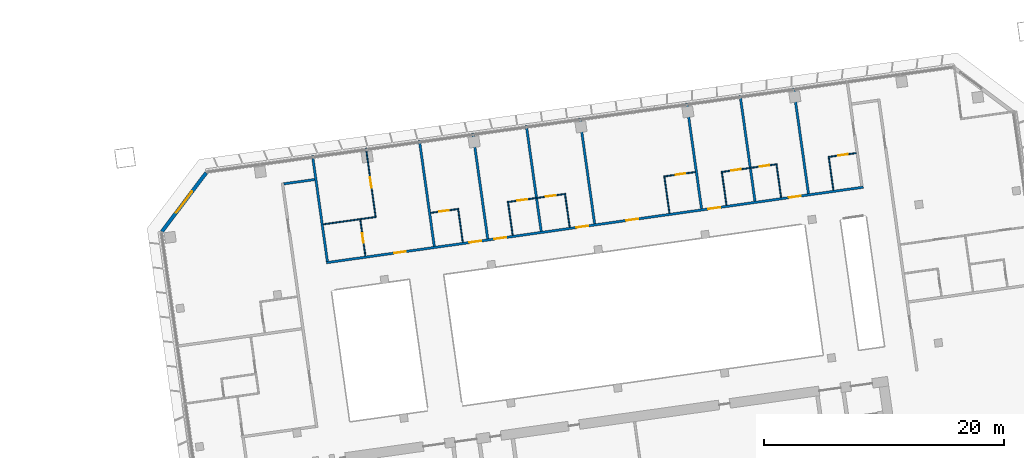
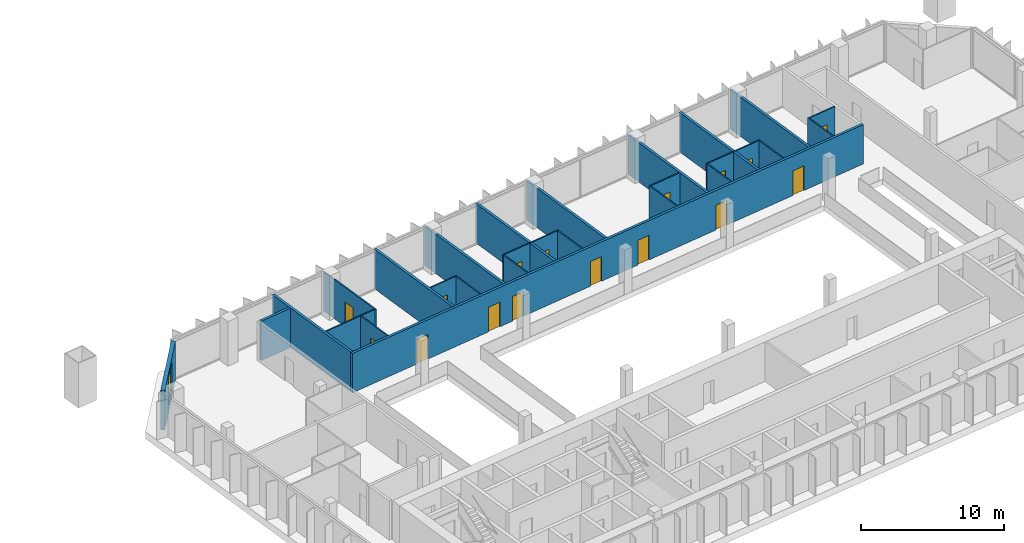
# One storey, part 20 of 25: 26 walls, 16 doors, 1 window, 17 openings.
"""IFC4 building model written with IfcOpenShell, lengths in metres."""

from ifc_helpers import new_model, si_unit, direction, frame, frame_2d, origin, place, context, subcontext, project, spatial, rectangle, extrude, material, layer, layer_set, type_object, element, fill, save


model = new_model("IFC4")

# Units and contexts
model_context = context("Model", 3, precision=1e-05, world=origin(), true_north=direction((0.0, 1.0)))
body_context = subcontext(model_context, "Body", "Model", "MODEL_VIEW")
ifc_project = project(units=[si_unit("LENGTHUNIT", "METRE"), si_unit("AREAUNIT", "SQUARE_METRE"), si_unit("VOLUMEUNIT", "CUBIC_METRE"), si_unit("PLANEANGLEUNIT", "RADIAN"), si_unit("MASSUNIT", "GRAM", prefix="KILO")], contexts=[model_context])

# Site, building, storey
site_placement = place(None, origin())
site = spatial("IfcSite", under=ifc_project, at=site_placement, CompositionType="ELEMENT")
building_placement = place(site_placement, origin())
building = spatial("IfcBuilding", under=site, at=building_placement, Name="Mirante Cascada Hotel Towers", CompositionType="ELEMENT")
storey_placement = place(building_placement, frame((0.0, 0.0, 136.7)))
storey = spatial("IfcBuildingStorey", under=building, at=storey_placement, Name="L31", CompositionType="ELEMENT", Elevation=136.7)

# Wall, openings, doors
ifc_material_1 = material(Name="Fire-rated plasterboard on metal studs")
ifc_layer_1 = layer(ifc_material_1, 0.2)
ifc_layer_set_1 = layer_set([ifc_layer_1], Name="Compartment wall 200 EI 120")
wall_type_1 = type_object("IfcWallType", Name="Compartment wall 200 EI 120", PredefinedType="PARTITIONING", material=ifc_layer_set_1)
wall_1_placement = place(storey_placement, frame((41.8779, 9.7676, 0.0), z_axis=(0.0, 0.0, 1.0), x_axis=(0.9902681, 0.1391726, 0.0)))
wall_1 = element("IfcWall", 1, at=wall_1_placement, inside=storey, type_object=wall_type_1, Name="Wall 2-L31-12", PredefinedType="PARTITIONING", context=body_context, shape_type="SweptSolid", body=[
    extrude(rectangle(XDim=45.2, YDim=0.2, at=frame_2d((22.6, 0.0))), origin(), (0.0, 0.0, 1.0), 3.35),
])
opening_1_placement = place(wall_1_placement, frame((5.7, 0.0, 0.0)))
opening_1 = element("IfcOpeningElement", 2, at=opening_1_placement, cuts=wall_1, Name="Opening D2-L31-04", PredefinedType="OPENING", context=body_context, shape_type="SweptSolid", body=[
    extrude(rectangle(XDim=1.0, YDim=2.1, at=frame_2d((0.5, 1.05))), frame((0.0, 0.1, 0.0), z_axis=(0.0, -1.0, 0.0), x_axis=(1.0, 0.0, 0.0)), (0.0, 0.0, 1.0), 0.2),
])
opening_2_placement = place(wall_1_placement, frame((12.05, 0.0, 0.0)))
opening_2 = element("IfcOpeningElement", 3, at=opening_2_placement, cuts=wall_1, Name="Opening D2-L31-05", PredefinedType="OPENING", context=body_context, shape_type="SweptSolid", body=[
    extrude(rectangle(XDim=1.0, YDim=2.1, at=frame_2d((0.5, 1.05))), frame((0.0, 0.1, 0.0), z_axis=(0.0, -1.0, 0.0), x_axis=(1.0, 0.0, 0.0)), (0.0, 0.0, 1.0), 0.2),
])
opening_3_placement = place(wall_1_placement, frame((14.15, 0.0, 0.0)))
opening_3 = element("IfcOpeningElement", 4, at=opening_3_placement, cuts=wall_1, Name="Opening D2-L31-06", PredefinedType="OPENING", context=body_context, shape_type="SweptSolid", body=[
    extrude(rectangle(XDim=1.0, YDim=2.1, at=frame_2d((0.5, 1.05))), frame((0.0, 0.1, 0.0), z_axis=(0.0, -1.0, 0.0), x_axis=(1.0, 0.0, 0.0)), (0.0, 0.0, 1.0), 0.2),
])
opening_4_placement = place(wall_1_placement, frame((21.05, 0.0, 0.0)))
opening_4 = element("IfcOpeningElement", 5, at=opening_4_placement, cuts=wall_1, Name="Opening D2-L31-07", PredefinedType="OPENING", context=body_context, shape_type="SweptSolid", body=[
    extrude(rectangle(XDim=1.0, YDim=2.1, at=frame_2d((0.5, 1.05))), frame((0.0, 0.1, 0.0), z_axis=(0.0, -1.0, 0.0), x_axis=(1.0, 0.0, 0.0)), (0.0, 0.0, 1.0), 0.2),
])
opening_5_placement = place(wall_1_placement, frame((25.25, 0.0, 0.0)))
opening_5 = element("IfcOpeningElement", 6, at=opening_5_placement, cuts=wall_1, Name="Opening D2-L31-08", PredefinedType="OPENING", context=body_context, shape_type="SweptSolid", body=[
    extrude(rectangle(XDim=1.0, YDim=2.1, at=frame_2d((0.5, 1.05))), frame((0.0, 0.1, 0.0), z_axis=(0.0, -1.0, 0.0), x_axis=(1.0, 0.0, 0.0)), (0.0, 0.0, 1.0), 0.2),
])
opening_6_placement = place(wall_1_placement, frame((32.15, 0.0, 0.0)))
opening_6 = element("IfcOpeningElement", 7, at=opening_6_placement, cuts=wall_1, Name="Opening D2-L31-09", PredefinedType="OPENING", context=body_context, shape_type="SweptSolid", body=[
    extrude(rectangle(XDim=1.0, YDim=2.1, at=frame_2d((0.5, 1.05))), frame((0.0, 0.1, 0.0), z_axis=(0.0, -1.0, 0.0), x_axis=(1.0, 0.0, 0.0)), (0.0, 0.0, 1.0), 0.2),
])
opening_7_placement = place(wall_1_placement, frame((38.95, 0.0, 0.0)))
opening_7 = element("IfcOpeningElement", 8, at=opening_7_placement, cuts=wall_1, Name="Opening D2-L31-10", PredefinedType="OPENING", context=body_context, shape_type="SweptSolid", body=[
    extrude(rectangle(XDim=1.0, YDim=2.1, at=frame_2d((0.5, 1.05))), frame((0.0, 0.1, 0.0), z_axis=(0.0, -1.0, 0.0), x_axis=(1.0, 0.0, 0.0)), (0.0, 0.0, 1.0), 0.2),
])
ifc_material_2 = material(Name="Fire-rated timber door leaf", Category="wood")
door_type_1 = type_object("IfcDoorType", Name="Entrance door DG1 1000x2100 EI 60", OperationType="SINGLE_SWING_LEFT", PredefinedType="DOOR", material=ifc_material_2)
door_1_placement = place(opening_1_placement, origin())
door_1 = element("IfcDoor", 9, at=door_1_placement, inside=storey, type_object=door_type_1, Name="Door D2-L31-04", OperationType="SINGLE_SWING_LEFT", OverallHeight=2.1, OverallWidth=1.0, PredefinedType="DOOR", context=body_context, shape_type="SweptSolid", body=[
    extrude(rectangle(XDim=1.0, YDim=2.1, at=frame_2d((0.5, 1.05))), frame((0.0, 0.025, 0.0), z_axis=(0.0, -1.0, 0.0), x_axis=(1.0, 0.0, 0.0)), (0.0, 0.0, 1.0), 0.05),
])
fill(opening_1, door_1)
door_2_placement = place(opening_2_placement, origin())
door_2 = element("IfcDoor", 10, at=door_2_placement, inside=storey, type_object=door_type_1, Name="Door D2-L31-05", OperationType="SINGLE_SWING_LEFT", OverallHeight=2.1, OverallWidth=1.0, PredefinedType="DOOR", context=body_context, shape_type="SweptSolid", body=[
    extrude(rectangle(XDim=1.0, YDim=2.1, at=frame_2d((0.5, 1.05))), frame((0.0, 0.025, 0.0), z_axis=(0.0, -1.0, 0.0), x_axis=(1.0, 0.0, 0.0)), (0.0, 0.0, 1.0), 0.05),
])
fill(opening_2, door_2)
door_3_placement = place(opening_3_placement, origin())
door_3 = element("IfcDoor", 11, at=door_3_placement, inside=storey, type_object=door_type_1, Name="Door D2-L31-06", OperationType="SINGLE_SWING_LEFT", OverallHeight=2.1, OverallWidth=1.0, PredefinedType="DOOR", context=body_context, shape_type="SweptSolid", body=[
    extrude(rectangle(XDim=1.0, YDim=2.1, at=frame_2d((0.5, 1.05))), frame((0.0, 0.025, 0.0), z_axis=(0.0, -1.0, 0.0), x_axis=(1.0, 0.0, 0.0)), (0.0, 0.0, 1.0), 0.05),
])
fill(opening_3, door_3)
door_4_placement = place(opening_4_placement, origin())
door_4 = element("IfcDoor", 12, at=door_4_placement, inside=storey, type_object=door_type_1, Name="Door D2-L31-07", OperationType="SINGLE_SWING_LEFT", OverallHeight=2.1, OverallWidth=1.0, PredefinedType="DOOR", context=body_context, shape_type="SweptSolid", body=[
    extrude(rectangle(XDim=1.0, YDim=2.1, at=frame_2d((0.5, 1.05))), frame((0.0, 0.025, 0.0), z_axis=(0.0, -1.0, 0.0), x_axis=(1.0, 0.0, 0.0)), (0.0, 0.0, 1.0), 0.05),
])
fill(opening_4, door_4)
door_5_placement = place(opening_5_placement, origin())
door_5 = element("IfcDoor", 13, at=door_5_placement, inside=storey, type_object=door_type_1, Name="Door D2-L31-08", OperationType="SINGLE_SWING_LEFT", OverallHeight=2.1, OverallWidth=1.0, PredefinedType="DOOR", context=body_context, shape_type="SweptSolid", body=[
    extrude(rectangle(XDim=1.0, YDim=2.1, at=frame_2d((0.5, 1.05))), frame((0.0, 0.025, 0.0), z_axis=(0.0, -1.0, 0.0), x_axis=(1.0, 0.0, 0.0)), (0.0, 0.0, 1.0), 0.05),
])
fill(opening_5, door_5)
door_6_placement = place(opening_6_placement, origin())
door_6 = element("IfcDoor", 14, at=door_6_placement, inside=storey, type_object=door_type_1, Name="Door D2-L31-09", OperationType="SINGLE_SWING_LEFT", OverallHeight=2.1, OverallWidth=1.0, PredefinedType="DOOR", context=body_context, shape_type="SweptSolid", body=[
    extrude(rectangle(XDim=1.0, YDim=2.1, at=frame_2d((0.5, 1.05))), frame((0.0, 0.025, 0.0), z_axis=(0.0, -1.0, 0.0), x_axis=(1.0, 0.0, 0.0)), (0.0, 0.0, 1.0), 0.05),
])
fill(opening_6, door_6)
door_7_placement = place(opening_7_placement, origin())
door_7 = element("IfcDoor", 15, at=door_7_placement, inside=storey, type_object=door_type_1, Name="Door D2-L31-10", OperationType="SINGLE_SWING_LEFT", OverallHeight=2.1, OverallWidth=1.0, PredefinedType="DOOR", context=body_context, shape_type="SweptSolid", body=[
    extrude(rectangle(XDim=1.0, YDim=2.1, at=frame_2d((0.5, 1.05))), frame((0.0, 0.025, 0.0), z_axis=(0.0, -1.0, 0.0), x_axis=(1.0, 0.0, 0.0)), (0.0, 0.0, 1.0), 0.05),
])
fill(opening_7, door_7)

# Walls
wall_2_placement = place(storey_placement, frame((38.329, 16.3376, 0.0), z_axis=(0.0, 0.0, 1.0), x_axis=(0.9902647, 0.1391971, 0.0)))
element("IfcWall", 16, at=wall_2_placement, inside=storey, type_object=wall_type_1, Name="Wall 2-L31-20", PredefinedType="PARTITIONING", context=body_context, shape_type="SweptSolid", body=[
    extrude(rectangle(XDim=2.5999, YDim=0.2, at=frame_2d((1.3, 0.0))), origin(), (0.0, 0.0, 1.0), 3.35),
])
for number, where, z_axis, x_axis, name in (
    (17, (41.963, 9.8805, 0.0), (0.0, 0.0, 1.0), (-0.1391794, 0.9902672, 0.0), "Wall 2-L31-28"),
    (18, (49.6367, 19.9465, 0.0), (0.0, 0.0, 1.0), (0.1391794, -0.9902672, 0.0), "Wall 2-L31-31"),
    (19, (54.0929, 20.5728, 0.0), (0.0, 0.0, 1.0), (0.1391794, -0.9902672, 0.0), "Wall 2-L31-33"),
):
    element("IfcWall", number, at=place(storey_placement, frame(where, z_axis=z_axis, x_axis=x_axis)), inside=storey, type_object=wall_type_1, Name=name, PredefinedType="PARTITIONING", context=body_context, shape_type="SweptSolid", body=[
        extrude(rectangle(XDim=8.9, YDim=0.2, at=frame_2d((4.45, 0.0))), origin(), (0.0, 0.0, 1.0), 3.35),
    ])
wall_3_placement = place(storey_placement, frame((58.5492, 21.199, 0.0), z_axis=(0.0, 0.0, 1.0), x_axis=(0.13917, -0.9902685, 0.0)))
element("IfcWall", 20, at=wall_3_placement, inside=storey, type_object=wall_type_1, Name="Wall 2-L31-35", PredefinedType="PARTITIONING", context=body_context, shape_type="SweptSolid", body=[
    extrude(rectangle(XDim=8.8999, YDim=0.2, at=frame_2d((4.45, 0.0))), origin(), (0.0, 0.0, 1.0), 3.35),
])
for number, where, z_axis, x_axis, name in (
    (21, (63.0054, 21.8253, 0.0), (0.0, 0.0, 1.0), (0.1391684, -0.9902687, 0.0), "Wall 2-L31-37"),
    (22, (71.9178, 23.0779, 0.0), (0.0, 0.0, 1.0), (0.1391684, -0.9902687, 0.0), "Wall 2-L31-39"),
    (23, (76.374, 23.7042, 0.0), (0.0, 0.0, 1.0), (0.1391684, -0.9902687, 0.0), "Wall 2-L31-41"),
):
    element("IfcWall", number, at=place(storey_placement, frame(where, z_axis=z_axis, x_axis=x_axis)), inside=storey, type_object=wall_type_1, Name=name, PredefinedType="PARTITIONING", context=body_context, shape_type="SweptSolid", body=[
        extrude(rectangle(XDim=8.9, YDim=0.2, at=frame_2d((4.45, 0.0))), origin(), (0.0, 0.0, 1.0), 3.35),
    ])
wall_4_placement = place(storey_placement, frame((80.8302, 24.3304, 0.0), z_axis=(0.0, 0.0, 1.0), x_axis=(0.13917, -0.9902685, 0.0)))
element("IfcWall", 24, at=wall_4_placement, inside=storey, type_object=wall_type_1, Name="Wall 2-L31-43", PredefinedType="PARTITIONING", context=body_context, shape_type="SweptSolid", body=[
    extrude(rectangle(XDim=8.8999, YDim=0.2, at=frame_2d((4.45, 0.0))), origin(), (0.0, 0.0, 1.0), 3.35),
])

# Wall, opening, door
ifc_material_3 = material(Name="Plasterboard on metal studs")
ifc_layer_2 = layer(ifc_material_3, 0.1)
ifc_layer_set_2 = layer_set([ifc_layer_2], Name="Partition 100")
wall_type_2 = type_object("IfcWallType", Name="Partition 100", PredefinedType="PARTITIONING", material=ifc_layer_set_2)
wall_5_placement = place(storey_placement, frame((52.8128, 14.2329, 0.0), z_axis=(0.0, 0.0, 1.0), x_axis=(-0.9902705, -0.1391561, 0.0)))
wall_5 = element("IfcWall", 25, at=wall_5_placement, inside=storey, type_object=wall_type_2, Name="Wall 2-L31-13", PredefinedType="PARTITIONING", context=body_context, shape_type="SweptSolid", body=[
    extrude(rectangle(XDim=2.25, YDim=0.1, at=frame_2d((1.125, 0.0))), origin(), (0.0, 0.0, 1.0), 3.35),
])
opening_8_placement = place(wall_5_placement, frame((0.75, 0.0, 0.0)))
opening_8 = element("IfcOpeningElement", 26, at=opening_8_placement, cuts=wall_5, Name="Opening D2-L31-11", PredefinedType="OPENING", context=body_context, shape_type="SweptSolid", body=[
    extrude(rectangle(XDim=0.8, YDim=2.1, at=frame_2d((0.4, 1.05))), frame((0.0, 0.05, 0.0), z_axis=(0.0, -1.0, 0.0), x_axis=(1.0, 0.0, 0.0)), (0.0, 0.0, 1.0), 0.1),
])
ifc_material_4 = material(Name="Timber door leaf", Category="wood")
door_type_2 = type_object("IfcDoorType", Name="Bathroom door DG4 800x2100", OperationType="SINGLE_SWING_LEFT", PredefinedType="DOOR", material=ifc_material_4)
door_8_placement = place(opening_8_placement, frame((0.8, 0.0, 0.0), z_axis=(0.0, 0.0, 1.0), x_axis=(-1.0, 0.0, 0.0)))
door_8 = element("IfcDoor", 27, at=door_8_placement, inside=storey, type_object=door_type_2, Name="Door D2-L31-11", OperationType="SINGLE_SWING_RIGHT", OverallHeight=2.1, OverallWidth=0.8, PredefinedType="DOOR", context=body_context, shape_type="SweptSolid", body=[
    extrude(rectangle(XDim=0.8, YDim=2.1, at=frame_2d((0.4, 1.05))), frame((0.0, 0.025, 0.0), z_axis=(0.0, -1.0, 0.0), x_axis=(1.0, 0.0, 0.0)), (0.0, 0.0, 1.0), 0.05),
])
fill(opening_8, door_8)

# Wall, openings, doors
wall_6_placement = place(storey_placement, frame((56.972, 14.8174, 0.0), z_axis=(0.0, 0.0, 1.0), x_axis=(0.9902666, 0.1391838, 0.0)))
wall_6 = element("IfcWall", 28, at=wall_6_placement, inside=storey, type_object=wall_type_2, Name="Wall 2-L31-14", PredefinedType="PARTITIONING", context=body_context, shape_type="SweptSolid", body=[
    extrude(rectangle(XDim=4.9, YDim=0.1, at=frame_2d((2.45, 0.0))), origin(), (0.0, 0.0, 1.0), 3.35),
])
opening_9_placement = place(wall_6_placement, frame((0.85, 0.0, 0.0)))
opening_9 = element("IfcOpeningElement", 29, at=opening_9_placement, cuts=wall_6, Name="Opening D2-L31-12", PredefinedType="OPENING", context=body_context, shape_type="SweptSolid", body=[
    extrude(rectangle(XDim=0.8, YDim=2.1, at=frame_2d((0.4, 1.05))), frame((0.0, 0.05, 0.0), z_axis=(0.0, -1.0, 0.0), x_axis=(1.0, 0.0, 0.0)), (0.0, 0.0, 1.0), 0.1),
])
opening_10_placement = place(wall_6_placement, frame((3.25, 0.0, 0.0)))
opening_10 = element("IfcOpeningElement", 30, at=opening_10_placement, cuts=wall_6, Name="Opening D2-L31-13", PredefinedType="OPENING", context=body_context, shape_type="SweptSolid", body=[
    extrude(rectangle(XDim=0.8, YDim=2.1, at=frame_2d((0.4, 1.05))), frame((0.0, 0.05, 0.0), z_axis=(0.0, -1.0, 0.0), x_axis=(1.0, 0.0, 0.0)), (0.0, 0.0, 1.0), 0.1),
])
door_9_placement = place(opening_9_placement, origin())
door_9 = element("IfcDoor", 31, at=door_9_placement, inside=storey, type_object=door_type_2, Name="Door D2-L31-12", OperationType="SINGLE_SWING_LEFT", OverallHeight=2.1, OverallWidth=0.8, PredefinedType="DOOR", context=body_context, shape_type="SweptSolid", body=[
    extrude(rectangle(XDim=0.8, YDim=2.1, at=frame_2d((0.4, 1.05))), frame((0.0, 0.025, 0.0), z_axis=(0.0, -1.0, 0.0), x_axis=(1.0, 0.0, 0.0)), (0.0, 0.0, 1.0), 0.05),
])
fill(opening_9, door_9)
door_10_placement = place(opening_10_placement, origin())
door_10 = element("IfcDoor", 32, at=door_10_placement, inside=storey, type_object=door_type_2, Name="Door D2-L31-13", OperationType="SINGLE_SWING_LEFT", OverallHeight=2.1, OverallWidth=0.8, PredefinedType="DOOR", context=body_context, shape_type="SweptSolid", body=[
    extrude(rectangle(XDim=0.8, YDim=2.1, at=frame_2d((0.4, 1.05))), frame((0.0, 0.025, 0.0), z_axis=(0.0, -1.0, 0.0), x_axis=(1.0, 0.0, 0.0)), (0.0, 0.0, 1.0), 0.05),
])
fill(opening_10, door_10)

wall_7_placement = place(storey_placement, frame((79.451, 17.9767, 0.0), z_axis=(0.0, 0.0, 1.0), x_axis=(-0.9902682, -0.139172, 0.0)))
wall_7 = element("IfcWall", 33, at=wall_7_placement, inside=storey, type_object=wall_type_2, Name="Wall 2-L31-15", PredefinedType="PARTITIONING", context=body_context, shape_type="SweptSolid", body=[
    extrude(rectangle(XDim=4.6999, YDim=0.1, at=frame_2d((2.35, 0.0))), origin(), (0.0, 0.0, 1.0), 3.35),
])
opening_11_placement = place(wall_7_placement, frame((3.05, 0.0, 0.0)))
opening_11 = element("IfcOpeningElement", 34, at=opening_11_placement, cuts=wall_7, Name="Opening D2-L31-14", PredefinedType="OPENING", context=body_context, shape_type="SweptSolid", body=[
    extrude(rectangle(XDim=0.8, YDim=2.1, at=frame_2d((0.4, 1.05))), frame((0.0, 0.05, 0.0), z_axis=(0.0, -1.0, 0.0), x_axis=(1.0, 0.0, 0.0)), (0.0, 0.0, 1.0), 0.1),
])
opening_12_placement = place(wall_7_placement, frame((0.65, 0.0, 0.0)))
opening_12 = element("IfcOpeningElement", 35, at=opening_12_placement, cuts=wall_7, Name="Opening D2-L31-15", PredefinedType="OPENING", context=body_context, shape_type="SweptSolid", body=[
    extrude(rectangle(XDim=0.8, YDim=2.1, at=frame_2d((0.4, 1.05))), frame((0.0, 0.05, 0.0), z_axis=(0.0, -1.0, 0.0), x_axis=(1.0, 0.0, 0.0)), (0.0, 0.0, 1.0), 0.1),
])
door_11_placement = place(opening_11_placement, frame((0.8, 0.0, 0.0), z_axis=(0.0, 0.0, 1.0), x_axis=(-1.0, 0.0, 0.0)))
door_11 = element("IfcDoor", 36, at=door_11_placement, inside=storey, type_object=door_type_2, Name="Door D2-L31-14", OperationType="SINGLE_SWING_RIGHT", OverallHeight=2.1, OverallWidth=0.8, PredefinedType="DOOR", context=body_context, shape_type="SweptSolid", body=[
    extrude(rectangle(XDim=0.8, YDim=2.1, at=frame_2d((0.4, 1.05))), frame((0.0, 0.025, 0.0), z_axis=(0.0, -1.0, 0.0), x_axis=(1.0, 0.0, 0.0)), (0.0, 0.0, 1.0), 0.05),
])
fill(opening_11, door_11)
door_12_placement = place(opening_12_placement, frame((0.8, 0.0, 0.0), z_axis=(0.0, 0.0, 1.0), x_axis=(-1.0, 0.0, 0.0)))
door_12 = element("IfcDoor", 37, at=door_12_placement, inside=storey, type_object=door_type_2, Name="Door D2-L31-15", OperationType="SINGLE_SWING_RIGHT", OverallHeight=2.1, OverallWidth=0.8, PredefinedType="DOOR", context=body_context, shape_type="SweptSolid", body=[
    extrude(rectangle(XDim=0.8, YDim=2.1, at=frame_2d((0.4, 1.05))), frame((0.0, 0.025, 0.0), z_axis=(0.0, -1.0, 0.0), x_axis=(1.0, 0.0, 0.0)), (0.0, 0.0, 1.0), 0.05),
])
fill(opening_12, door_12)

# Wall, opening, door
wall_8_placement = place(storey_placement, frame((83.8082, 18.589, 0.0), z_axis=(0.0, 0.0, 1.0), x_axis=(0.9902643, 0.1391997, 0.0)))
wall_8 = element("IfcWall", 38, at=wall_8_placement, inside=storey, type_object=wall_type_2, Name="Wall 2-L31-16", PredefinedType="PARTITIONING", context=body_context, shape_type="SweptSolid", body=[
    extrude(rectangle(XDim=2.25, YDim=0.1, at=frame_2d((1.125, 0.0))), origin(), (0.0, 0.0, 1.0), 3.35),
])
opening_13_placement = place(wall_8_placement, frame((0.75, 0.0, 0.0)))
opening_13 = element("IfcOpeningElement", 39, at=opening_13_placement, cuts=wall_8, Name="Opening D2-L31-16", PredefinedType="OPENING", context=body_context, shape_type="SweptSolid", body=[
    extrude(rectangle(XDim=0.8, YDim=2.1, at=frame_2d((0.4, 1.05))), frame((0.0, 0.05, 0.0), z_axis=(0.0, -1.0, 0.0), x_axis=(1.0, 0.0, 0.0)), (0.0, 0.0, 1.0), 0.1),
])
door_13_placement = place(opening_13_placement, origin())
door_13 = element("IfcDoor", 40, at=door_13_placement, inside=storey, type_object=door_type_2, Name="Door D2-L31-16", OperationType="SINGLE_SWING_LEFT", OverallHeight=2.1, OverallWidth=0.8, PredefinedType="DOOR", context=body_context, shape_type="SweptSolid", body=[
    extrude(rectangle(XDim=0.8, YDim=2.1, at=frame_2d((0.4, 1.05))), frame((0.0, 0.025, 0.0), z_axis=(0.0, -1.0, 0.0), x_axis=(1.0, 0.0, 0.0)), (0.0, 0.0, 1.0), 0.05),
])
fill(opening_13, door_13)

# Wall
wall_9_placement = place(storey_placement, frame((45.9382, 13.5697, 0.0), z_axis=(0.0, 0.0, 1.0), x_axis=(-0.9902679, -0.1391745, 0.0)))
element("IfcWall", 41, at=wall_9_placement, inside=storey, type_object=wall_type_2, Name="Wall 2-L31-17", PredefinedType="PARTITIONING", context=body_context, shape_type="SweptSolid", body=[
    extrude(rectangle(XDim=4.3499, YDim=0.1, at=frame_2d((2.175, 0.0))), origin(), (0.0, 0.0, 1.0), 3.35),
])

# Wall, opening, door
wall_10_placement = place(storey_placement, frame((70.1008, 16.9655, 0.0), z_axis=(0.0, 0.0, 1.0), x_axis=(0.9902677, 0.1391755, 0.0)))
wall_10 = element("IfcWall", 42, at=wall_10_placement, inside=storey, type_object=wall_type_2, Name="Wall 2-L31-18", PredefinedType="PARTITIONING", context=body_context, shape_type="SweptSolid", body=[
    extrude(rectangle(XDim=2.55, YDim=0.1, at=frame_2d((1.275, 0.0))), origin(), (0.0, 0.0, 1.0), 3.35),
])
opening_14_placement = place(wall_10_placement, frame((0.9, 0.0, 0.0)))
opening_14 = element("IfcOpeningElement", 43, at=opening_14_placement, cuts=wall_10, Name="Opening D2-L31-17", PredefinedType="OPENING", context=body_context, shape_type="SweptSolid", body=[
    extrude(rectangle(XDim=0.8, YDim=2.1, at=frame_2d((0.4, 1.05))), frame((0.0, 0.05, 0.0), z_axis=(0.0, -1.0, 0.0), x_axis=(1.0, 0.0, 0.0)), (0.0, 0.0, 1.0), 0.1),
])
door_14_placement = place(opening_14_placement, origin())
door_14 = element("IfcDoor", 44, at=door_14_placement, inside=storey, type_object=door_type_2, Name="Door D2-L31-17", OperationType="SINGLE_SWING_LEFT", OverallHeight=2.1, OverallWidth=0.8, PredefinedType="DOOR", context=body_context, shape_type="SweptSolid", body=[
    extrude(rectangle(XDim=0.8, YDim=2.1, at=frame_2d((0.4, 1.05))), frame((0.0, 0.025, 0.0), z_axis=(0.0, -1.0, 0.0), x_axis=(1.0, 0.0, 0.0)), (0.0, 0.0, 1.0), 0.05),
])
fill(opening_14, door_14)

wall_11_placement = place(storey_placement, frame((44.7074, 13.3462, 0.0), z_axis=(0.0, 0.0, 1.0), x_axis=(0.1391488, -0.9902715, 0.0)))
wall_11 = element("IfcWall", 45, at=wall_11_placement, inside=storey, type_object=wall_type_2, Name="Wall 2-L31-29", PredefinedType="PARTITIONING", context=body_context, shape_type="SweptSolid", body=[
    extrude(rectangle(XDim=3.05, YDim=0.1, at=frame_2d((1.525, 0.0))), origin(), (0.0, 0.0, 1.0), 3.35),
])
opening_15_placement = place(wall_11_placement, frame((1.15, 0.0, 0.0)))
opening_15 = element("IfcOpeningElement", 46, at=opening_15_placement, cuts=wall_11, Name="Opening D2-L31-24", PredefinedType="OPENING", context=body_context, shape_type="SweptSolid", body=[
    extrude(rectangle(XDim=0.8, YDim=2.1, at=frame_2d((0.4, 1.05))), frame((0.0, 0.05, 0.0), z_axis=(0.0, -1.0, 0.0), x_axis=(1.0, 0.0, 0.0)), (0.0, 0.0, 1.0), 0.1),
])
door_15_placement = place(opening_15_placement, origin())
door_15 = element("IfcDoor", 47, at=door_15_placement, inside=storey, type_object=door_type_2, Name="Door D2-L31-24", OperationType="SINGLE_SWING_LEFT", OverallHeight=2.1, OverallWidth=0.8, PredefinedType="DOOR", context=body_context, shape_type="SweptSolid", body=[
    extrude(rectangle(XDim=0.8, YDim=2.1, at=frame_2d((0.4, 1.05))), frame((0.0, 0.025, 0.0), z_axis=(0.0, -1.0, 0.0), x_axis=(1.0, 0.0, 0.0)), (0.0, 0.0, 1.0), 0.05),
])
fill(opening_15, door_15)

wall_12_placement = place(storey_placement, frame((45.9947, 13.5271, 0.0), z_axis=(0.0, 0.0, 1.0), x_axis=(-0.1391786, 0.9902673, 0.0)))
wall_12 = element("IfcWall", 48, at=wall_12_placement, inside=storey, type_object=wall_type_2, Name="Wall 2-L31-30", PredefinedType="PARTITIONING", context=body_context, shape_type="SweptSolid", body=[
    extrude(rectangle(XDim=5.85, YDim=0.1, at=frame_2d((2.925, 0.0))), origin(), (0.0, 0.0, 1.0), 3.35),
])
opening_16_placement = place(wall_12_placement, frame((2.5, 0.0, 0.0)))
opening_16 = element("IfcOpeningElement", 49, at=opening_16_placement, cuts=wall_12, Name="Opening D2-L31-25", PredefinedType="OPENING", context=body_context, shape_type="SweptSolid", body=[
    extrude(rectangle(XDim=0.9, YDim=2.1, at=frame_2d((0.45, 1.05))), frame((0.0, 0.05, 0.0), z_axis=(0.0, -1.0, 0.0), x_axis=(1.0, 0.0, 0.0)), (0.0, 0.0, 1.0), 0.1),
])
ifc_material_5 = material(Name="Timber door leaf", Category="wood")
door_type_3 = type_object("IfcDoorType", Name="Room door DG3 900x2100", OperationType="SINGLE_SWING_LEFT", PredefinedType="DOOR", material=ifc_material_5)
door_16_placement = place(opening_16_placement, frame((0.9, 0.0, 0.0), z_axis=(0.0, 0.0, 1.0), x_axis=(-1.0, 0.0, 0.0)))
door_16 = element("IfcDoor", 50, at=door_16_placement, inside=storey, type_object=door_type_3, Name="Door D2-L31-25", OperationType="SINGLE_SWING_RIGHT", OverallHeight=2.1, OverallWidth=0.9, PredefinedType="DOOR", context=body_context, shape_type="SweptSolid", body=[
    extrude(rectangle(XDim=0.9, YDim=2.1, at=frame_2d((0.45, 1.05))), frame((0.0, 0.025, 0.0), z_axis=(0.0, -1.0, 0.0), x_axis=(1.0, 0.0, 0.0)), (0.0, 0.0, 1.0), 0.05),
])
fill(opening_16, door_16)

# Walls
wall_13_placement = place(storey_placement, frame((53.252, 11.4671, 0.0), z_axis=(0.0, 0.0, 1.0), x_axis=(-0.1391564, 0.9902704, 0.0)))
element("IfcWall", 51, at=wall_13_placement, inside=storey, type_object=wall_type_2, Name="Wall 2-L31-32", PredefinedType="PARTITIONING", context=body_context, shape_type="SweptSolid", body=[
    extrude(rectangle(XDim=2.85, YDim=0.1, at=frame_2d((1.425, 0.0))), origin(), (0.0, 0.0, 1.0), 3.35),
])
wall_14_placement = place(storey_placement, frame((57.4112, 12.0516, 0.0), z_axis=(0.0, 0.0, 1.0), x_axis=(-0.1391963, 0.9902648, 0.0)))
element("IfcWall", 52, at=wall_14_placement, inside=storey, type_object=wall_type_2, Name="Wall 2-L31-34", PredefinedType="PARTITIONING", context=body_context, shape_type="SweptSolid", body=[
    extrude(rectangle(XDim=2.7501, YDim=0.1, at=frame_2d((1.3751, 0.0))), origin(), (0.0, 0.0, 1.0), 3.35),
])
wall_15_placement = place(storey_placement, frame((62.1644, 12.7197, 0.0), z_axis=(0.0, 0.0, 1.0), x_axis=(-0.1391657, 0.9902691, 0.0)))
element("IfcWall", 53, at=wall_15_placement, inside=storey, type_object=wall_type_2, Name="Wall 2-L31-36", PredefinedType="PARTITIONING", context=body_context, shape_type="SweptSolid", body=[
    extrude(rectangle(XDim=2.75, YDim=0.1, at=frame_2d((1.375, 0.0))), origin(), (0.0, 0.0, 1.0), 3.35),
])
wall_16_placement = place(storey_placement, frame((70.4827, 13.8887, 0.0), z_axis=(0.0, 0.0, 1.0), x_axis=(-0.1391721, 0.9902682, 0.0)))
element("IfcWall", 54, at=wall_16_placement, inside=storey, type_object=wall_type_2, Name="Wall 2-L31-38", PredefinedType="PARTITIONING", context=body_context, shape_type="SweptSolid", body=[
    extrude(rectangle(XDim=3.1501, YDim=0.1, at=frame_2d((1.575, 0.0))), origin(), (0.0, 0.0, 1.0), 3.35),
])
for number, where, z_axis, x_axis, name in (
    (55, (75.236, 14.5568, 0.0), (0.0, 0.0, 1.0), (-0.1391657, 0.9902691, 0.0), "Wall 2-L31-40"),
    (56, (79.7912, 15.197, 0.0), (0.0, 0.0, 1.0), (-0.1391657, 0.9902691, 0.0), "Wall 2-L31-42"),
):
    element("IfcWall", number, at=place(storey_placement, frame(where, z_axis=z_axis, x_axis=x_axis)), inside=storey, type_object=wall_type_2, Name=name, PredefinedType="PARTITIONING", context=body_context, shape_type="SweptSolid", body=[
        extrude(rectangle(XDim=2.75, YDim=0.1, at=frame_2d((1.375, 0.0))), origin(), (0.0, 0.0, 1.0), 3.35),
    ])
wall_17_placement = place(storey_placement, frame((84.1484, 15.8093, 0.0), z_axis=(0.0, 0.0, 1.0), x_axis=(-0.1391909, 0.9902656, 0.0)))
element("IfcWall", 57, at=wall_17_placement, inside=storey, type_object=wall_type_2, Name="Wall 2-L31-44", PredefinedType="PARTITIONING", context=body_context, shape_type="SweptSolid", body=[
    extrude(rectangle(XDim=2.85, YDim=0.1, at=frame_2d((1.425, 0.0))), origin(), (0.0, 0.0, 1.0), 3.35),
])

# Wall, opening, window
ifc_material_6 = material(Name="Precast concrete C40/50", Category="concrete")
ifc_layer_3 = layer(ifc_material_6, 0.3)
ifc_layer_set_3 = layer_set([ifc_layer_3], Name="Precast concrete C40/50 cladding wall 300")
wall_type_3 = type_object("IfcWallType", Name="Precast concrete C40/50 cladding wall 300", PredefinedType="STANDARD", material=ifc_layer_set_3)
wall_18_placement = place(storey_placement, frame((31.857, 17.252, 0.0), z_axis=(0.0, 0.0, 1.0), x_axis=(-0.6018141, -0.7986362, 0.0)))
wall_18 = element("IfcWall", 58, at=wall_18_placement, inside=storey, type_object=wall_type_3, Name="Corner cladding wall T2 L31 front inner", PredefinedType="STANDARD", context=body_context, shape_type="SweptSolid", body=[
    extrude(rectangle(XDim=6.1157, YDim=0.3, at=frame_2d((3.0578, 0.0))), origin(), (0.0, 0.0, 1.0), 3.35),
])
opening_17_placement = place(wall_18_placement, frame((1.9578, 0.0, 0.6)))
opening_17 = element("IfcOpeningElement", 59, at=opening_17_placement, cuts=wall_18, Name="Opening W2-31-05", PredefinedType="OPENING", context=body_context, shape_type="SweptSolid", body=[
    extrude(rectangle(XDim=2.2, YDim=2.4, at=frame_2d((1.1, 1.2))), frame((0.0, 0.15, 0.0), z_axis=(0.0, -1.0, 0.0), x_axis=(1.0, 0.0, 0.0)), (0.0, 0.0, 1.0), 0.3),
])
ifc_material_7 = material(Name="Aluminium frame with clear double glazing", Category="aluminium")
window_type = type_object("IfcWindowType", Name="Corner suite window 2200x2400", PartitioningType="DOUBLE_PANEL_VERTICAL", PredefinedType="WINDOW", material=ifc_material_7)
window_placement = place(opening_17_placement, origin())
window = element("IfcWindow", 60, at=window_placement, inside=storey, type_object=window_type, Name="Window W2-31-05", OverallHeight=2.4, OverallWidth=2.2, PartitioningType="SINGLE_PANEL", PredefinedType="WINDOW", context=body_context, shape_type="SweptSolid", body=[
    extrude(rectangle(XDim=2.2, YDim=2.4, at=frame_2d((1.1, 1.2))), frame((0.0, 0.03, 0.0), z_axis=(0.0, -1.0, 0.0), x_axis=(1.0, 0.0, 0.0)), (0.0, 0.0, 1.0), 0.06),
])
fill(opening_17, window)

save(model, "model.ifc")
